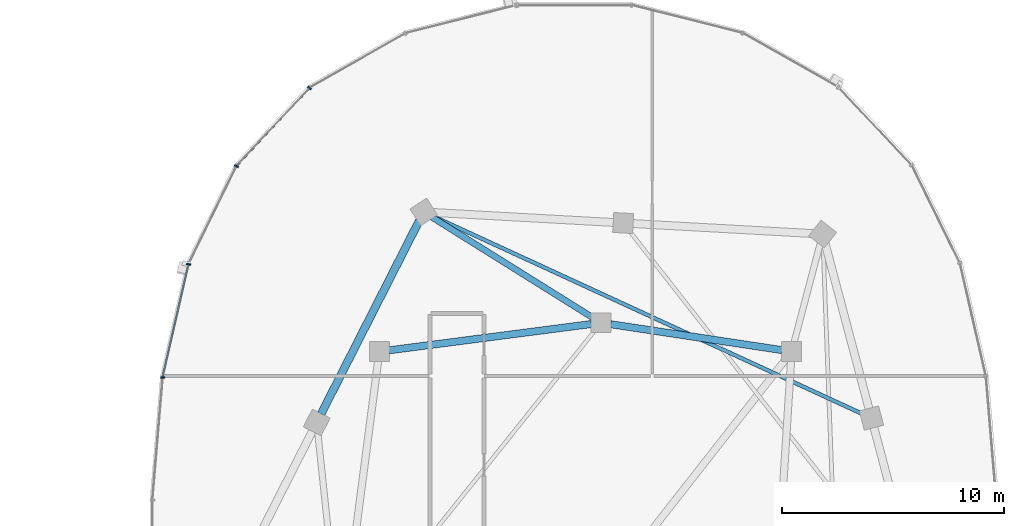
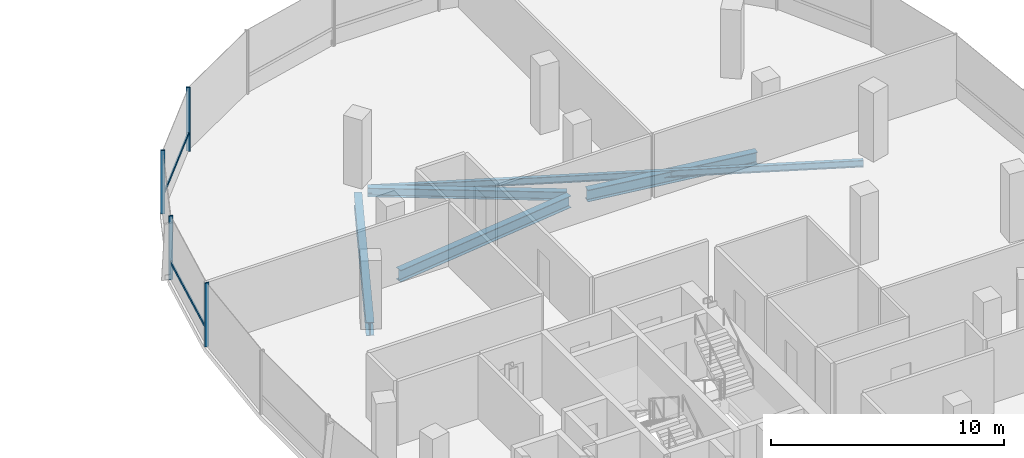
# One storey, part 11 of 25: 6 members, 5 beams, 1 element without a shape of its own.
"""IFC4 building model written with IfcOpenShell, lengths in metres."""

import ifcopenshell
import ifcopenshell.guid

model = None  # the IFC model being written
_history = None  # IfcOwnerHistory: only IFC2X3 demands one
_inside = {}  # id of a spatial element -> (the spatial element, [elements in it])
_under = {}  # id of a project, library or spatial element -> (it, [spatial elements below it])
_declared = {}  # id of a project -> (the project, [libraries it declares])
_typed = {}  # id of a type object -> (the type object, [elements of that type])
_made_of = {}  # id of a material, layer set ... -> (it, [elements and type objects made of it])


def new_model(schema):
    """Start an empty IFC model of exactly this schema.

    Asked for "IFC4X3", IfcOpenShell would pick the latest addendum, in which some entities
    have other attributes; the version numbers below select the first issue.
    IFC2X3 requires an IfcOwnerHistory on every rooted entity: one is made here for all.
    """
    global model, _history
    if schema == "IFC4X3":
        model = ifcopenshell.file(schema_version=(4, 3, 0, 0))
    else:
        model = ifcopenshell.file(schema=schema)
    _inside.clear()
    _under.clear()
    _declared.clear()
    _typed.clear()
    _made_of.clear()
    _history = None
    if model.schema == "IFC2X3":
        org = make("IfcOrganization", Name="unknown")
        user = make(
            "IfcPersonAndOrganization",
            ThePerson=make("IfcPerson", FamilyName="unknown"),
            TheOrganization=org,
        )
        app = make(
            "IfcApplication",
            ApplicationDeveloper=org,
            Version="unknown",
            ApplicationFullName="unknown",
            ApplicationIdentifier="unknown",
        )
        _history = make(
            "IfcOwnerHistory",
            OwningUser=user,
            OwningApplication=app,
            ChangeAction="ADDED",
            CreationDate=0,
        )
    return model


def make(cls, **values):
    """One entity of the class cls with the attributes given. An attribute that is None is left unset."""
    return model.create_entity(
        cls, **{name: value for name, value in values.items() if value is not None}
    )


def rooted(cls, **values):
    """An entity with a GlobalId (a new one), such as an element, a storey or a relation."""
    return make(cls, GlobalId=ifcopenshell.guid.new(), OwnerHistory=_history, **values)


def si_unit(unit_type, name, prefix=None):
    """IfcSIUnit, for example si_unit("LENGTHUNIT", "METRE", prefix="MILLI")."""
    return make("IfcSIUnit", UnitType=unit_type, Prefix=prefix, Name=name)


def assignment(units):
    """IfcUnitAssignment: the units of a project."""
    return None if units is None else make("IfcUnitAssignment", Units=units)


def point(xyz):
    """IfcCartesianPoint."""
    return None if xyz is None else make("IfcCartesianPoint", Coordinates=xyz)


def direction(xyz):
    """IfcDirection."""
    return None if xyz is None else make("IfcDirection", DirectionRatios=xyz)


def frame(location, z_axis=None, x_axis=None):
    """IfcAxis2Placement3D, a coordinate frame: its origin and axes. An axis left out is left unset."""
    return make(
        "IfcAxis2Placement3D",
        Location=point(location),
        Axis=direction(z_axis),
        RefDirection=direction(x_axis),
    )


def frame_2d(location, x_axis=None):
    """IfcAxis2Placement2D, a coordinate frame in the plane: its origin and x axis."""
    return make(
        "IfcAxis2Placement2D", Location=point(location), RefDirection=direction(x_axis)
    )


def origin():
    """The frame at (0, 0, 0) with its axes left unset."""
    return frame((0.0, 0.0, 0.0))


def origin_2d():
    """The frame at (0, 0) in the plane with its x axis left unset."""
    return frame_2d((0.0, 0.0))


def place(relative_to, where):
    """IfcLocalPlacement: puts the frame where relative to a parent placement (None: the world)."""
    return make(
        "IfcLocalPlacement", PlacementRelTo=relative_to, RelativePlacement=where
    )


def context(
    kind, dimensions, precision=None, world=None, true_north=None, identifier=None
):
    """IfcGeometricRepresentationContext, for example the 3D "Model" context."""
    return make(
        "IfcGeometricRepresentationContext",
        ContextIdentifier=identifier,
        ContextType=kind,
        CoordinateSpaceDimension=dimensions,
        Precision=precision,
        WorldCoordinateSystem=world,
        TrueNorth=true_north,
    )


def subcontext(parent, identifier, kind, view, scale=None):
    """IfcGeometricRepresentationSubContext, for example "Body" below "Model"."""
    return make(
        "IfcGeometricRepresentationSubContext",
        ContextIdentifier=identifier,
        ContextType=kind,
        ParentContext=parent,
        TargetScale=scale,
        TargetView=view,
    )


def project(units=None, contexts=None):
    """IfcProject with its units and contexts."""
    return rooted(
        "IfcProject",
        Name="project",
        RepresentationContexts=contexts,
        UnitsInContext=assignment(units),
    )


def spatial(cls, under=None, at=None, **own):
    """A site, building, storey or space (cls), placed at a placement, below another one or the project."""
    s = rooted(cls, ObjectPlacement=at, **own)
    if under is not None:
        _under.setdefault(under.id(), (under, []))[1].append(s)
    return s


def profile(cls, at=None, kind="AREA", **sizes):
    """A parametric profile (cls). Its sizes go by their IFC names, for example OverallWidth=200.0."""
    return make(cls, ProfileType=kind, Position=at, **sizes)


def rectangle(**sizes):
    """IfcRectangleProfileDef."""
    return profile("IfcRectangleProfileDef", **sizes)


def i_section(**sizes):
    """IfcIShapeProfileDef."""
    return profile("IfcIShapeProfileDef", **sizes)


def extrude(swept, where, along, depth):
    """IfcExtrudedAreaSolid: the profile swept, set in the frame where, extruded along a direction by depth."""
    return make(
        "IfcExtrudedAreaSolid",
        SweptArea=swept,
        Position=where,
        ExtrudedDirection=direction(along),
        Depth=depth,
    )


def shape(context_of_items, identifier, shape_type, items):
    """IfcShapeRepresentation: the items that make up one representation, for example the "Body"."""
    return make(
        "IfcShapeRepresentation",
        ContextOfItems=context_of_items,
        RepresentationIdentifier=identifier,
        RepresentationType=shape_type,
        Items=items,
    )


def material(Name=None, Category=None):
    """IfcMaterial."""
    return make("IfcMaterial", Name=Name, Category=Category)


def material_profile(
    of_material, cross_section, Name=None, Category=None, Priority=None
):
    """IfcMaterialProfile: a cross section and its material."""
    return make(
        "IfcMaterialProfile",
        Name=Name,
        Material=of_material,
        Profile=cross_section,
        Priority=Priority,
        Category=Category,
    )


def profile_set(profiles, Name=None, composite=None):
    """IfcMaterialProfileSet."""
    return make(
        "IfcMaterialProfileSet",
        Name=Name,
        MaterialProfiles=profiles,
        CompositeProfile=composite,
    )


def made_of(thing, what):
    """Note that an element or type object is made of a material, layer set ...; save() writes the relation."""
    if what is not None:
        _made_of.setdefault(what.id(), (what, []))[1].append(thing)
    return thing


def type_object(cls, material=None, **own):
    """A type object (cls), such as IfcWallType, which elements share."""
    return made_of(rooted(cls, **own), material)


def element(
    cls,
    number,
    at=None,
    inside=None,
    cuts=None,
    type_object=None,
    material=None,
    context=None,
    identifier="Body",
    shape_type=None,
    held_by="IfcProductDefinitionShape",
    body=None,
    shapes=None,
    **own,
):
    """One element of the class cls, such as IfcWall. Its Tag is "e" and its number.

    at: its placement. inside: the storey or other place that contains it. cuts: it is an
    opening in that element (IfcRelVoidsElement). A single representation is given by context,
    identifier, shape_type and body (its items); several are given by shapes. held_by: the class
    of the entity that holds the representations. save() writes the other relations.
    """
    e = rooted(cls, Tag="e%d" % number, ObjectPlacement=at, **own)
    if body is not None:
        shapes = [shape(context, identifier, shape_type, body)]
    if shapes is not None:
        e.Representation = make(held_by, Representations=shapes)
    if inside is not None:
        _inside.setdefault(inside.id(), (inside, []))[1].append(e)
    if cuts is not None:
        rooted(
            "IfcRelVoidsElement", RelatingBuildingElement=cuts, RelatedOpeningElement=e
        )
    if type_object is not None:
        _typed.setdefault(type_object.id(), (type_object, []))[1].append(e)
    return made_of(e, material)


def aggregate(whole, parts):
    """IfcRelAggregates: a whole, such as a stair, and the parts it consists of."""
    return rooted("IfcRelAggregates", RelatingObject=whole, RelatedObjects=parts)


def save(model, path):
    """Write the relations noted so far, then the file.

    IfcRelAggregates (storeys below a building ...), IfcRelContainedInSpatialStructure (elements
    in a storey), IfcRelDefinesByType, IfcRelAssociatesMaterial and IfcRelDeclares: one each for
    every whole, place, type object, material and project.
    """
    for whole, parts in _under.values():
        aggregate(whole, parts)
    for where, things in _inside.values():
        rooted(
            "IfcRelContainedInSpatialStructure",
            RelatedElements=things,
            RelatingStructure=where,
        )
    for kind, things in _typed.values():
        rooted("IfcRelDefinesByType", RelatedObjects=things, RelatingType=kind)
    for what, things in _made_of.values():
        rooted("IfcRelAssociatesMaterial", RelatedObjects=things, RelatingMaterial=what)
    for by, libraries in _declared.values():
        rooted("IfcRelDeclares", RelatingContext=by, RelatedDefinitions=libraries)
    model.write(path)


model = new_model("IFC4")

# Units and contexts
model_context = context("Model", 3, precision=1e-05, world=origin(), true_north=direction((0.0, 1.0)))
body_context = subcontext(model_context, "Body", "Model", "MODEL_VIEW")
ifc_project = project(units=[si_unit("LENGTHUNIT", "METRE"), si_unit("AREAUNIT", "SQUARE_METRE"), si_unit("VOLUMEUNIT", "CUBIC_METRE"), si_unit("PLANEANGLEUNIT", "RADIAN"), si_unit("MASSUNIT", "GRAM", prefix="KILO"), si_unit("THERMODYNAMICTEMPERATUREUNIT", "KELVIN"), si_unit("POWERUNIT", "WATT")], contexts=[model_context])

# Site, building, storey
site_placement = place(None, origin())
site = spatial("IfcSite", under=ifc_project, at=site_placement, CompositionType="ELEMENT")
building_placement = place(site_placement, origin())
building = spatial("IfcBuilding", under=site, at=building_placement, Name="Cundina Bronze Exchange", CompositionType="ELEMENT")
storey_placement = place(building_placement, frame((0.0, 0.0, 209.800048828125)))
storey = spatial("IfcBuildingStorey", under=building, at=storey_placement, Name="L55", CompositionType="ELEMENT", Elevation=209.800048828125)

# Beams
ifc_material_1 = material(Name="Steel ASTM A992 Grade 50", Category="steel")
ifc_material_profile_1 = material_profile(ifc_material_1, i_section(OverallWidth=0.280029296875, OverallDepth=0.462890625, WebThickness=0.0107421875, FlangeThickness=0.017333984375, FilletRadius=0.011962890625, at=origin_2d()), Name="W18X76", Category="steel")
ifc_profile_set_1 = profile_set([ifc_material_profile_1], Name="Steel ASTM A992 Grade 50")
beam_type_1 = type_object("IfcBeamType", Name="BM-FLR-W18A", PredefinedType="BEAM", material=ifc_profile_set_1)
beam_1_placement = place(storey_placement, frame((32.82861328125, 11.031982421875, -0.491455078125), z_axis=(-0.847995098703, 0.530004068452, 0.0), x_axis=(-0.530004068452, -0.847995098703, 0.0)))
element("IfcBeam", 1, at=beam_1_placement, inside=storey, type_object=beam_type_1, Name="L55 Leg E Chordal Floor Beam 12", PredefinedType="BEAM", context=body_context, shape_type="SweptSolid", body=[
    extrude(i_section(OverallWidth=0.280029296875, OverallDepth=0.462890625, WebThickness=0.0107421875, FlangeThickness=0.017333984375, FilletRadius=0.011962890625, at=origin_2d()), origin(), (0.0, 0.0, 1.0), 8.55810546875),
])
ifc_material_profile_2 = material_profile(ifc_material_1, i_section(OverallWidth=0.172119140625, OverallDepth=0.35791015625, WebThickness=0.0078125, FlangeThickness=0.01318359375, FilletRadius=0.010009765625, at=origin_2d()), Name="W14X38", Category="steel")
ifc_profile_set_2 = profile_set([ifc_material_profile_2], Name="Steel ASTM A992 Grade 50")
beam_type_2 = type_object("IfcBeamType", Name="BM-JST-W14", PredefinedType="JOIST", material=ifc_profile_set_2)
beam_2_placement = place(storey_placement, frame((45.002197265625, 6.68310546875, -0.43896484375), z_axis=(-0.908355026127, 0.418199888224, 0.0), x_axis=(-0.418199888224, -0.908355026127, 0.0)))
element("IfcBeam", 2, at=beam_2_placement, inside=storey, type_object=beam_type_2, Name="L55 Leg E Lobe Floor Joist 09-12", PredefinedType="JOIST", context=body_context, shape_type="SweptSolid", body=[
    extrude(i_section(OverallWidth=0.172119140625, OverallDepth=0.35791015625, WebThickness=0.0078125, FlangeThickness=0.01318359375, FilletRadius=0.010009765625, at=origin_2d()), origin(), (0.0, 0.0, 1.0), 21.362060546875),
])
ifc_material_profile_3 = material_profile(ifc_material_1, i_section(OverallWidth=0.324951171875, OverallDepth=0.615966796875, WebThickness=0.013916015625, FlangeThickness=0.021484375, FilletRadius=0.01611328125, at=origin_2d()), Name="W24X117", Category="steel")
ifc_profile_set_3 = profile_set([ifc_material_profile_3], Name="Steel ASTM A992 Grade 50")
beam_type_3 = type_object("IfcBeamType", Name="BM-RING-W24", PredefinedType="USERDEFINED", material=ifc_profile_set_3)
beam_3_placement = place(storey_placement, frame((41.366943359375, 9.5654296875, -0.568115234375), z_axis=(-0.988764903598, 0.149478979839, 0.0), x_axis=(-0.149478979839, -0.988764903598, 0.0)))
element("IfcBeam", 3, at=beam_3_placement, inside=storey, type_object=beam_type_3, Name="L55 E Inner Structural Ring Girder 05", ObjectType="GIRDER", PredefinedType="USERDEFINED", context=body_context, shape_type="SweptSolid", body=[
    extrude(i_section(OverallWidth=0.324951171875, OverallDepth=0.615966796875, WebThickness=0.013916015625, FlangeThickness=0.021484375, FilletRadius=0.01611328125, at=origin_2d()), origin(), (0.0, 0.0, 1.0), 7.82177734375),
])
beam_4_placement = place(storey_placement, frame((32.765625, 10.743408203125, -0.568115234375), z_axis=(-0.991656498582, -0.128908451316, 0.0), x_axis=(0.128908451316, -0.991656498582, 0.0)))
element("IfcBeam", 4, at=beam_4_placement, inside=storey, type_object=beam_type_3, Name="L55 E Inner Structural Ring Girder 06", ObjectType="GIRDER", PredefinedType="USERDEFINED", context=body_context, shape_type="SweptSolid", body=[
    extrude(i_section(OverallWidth=0.324951171875, OverallDepth=0.615966796875, WebThickness=0.013916015625, FlangeThickness=0.021484375, FilletRadius=0.01611328125, at=origin_2d()), origin(), (0.0, 0.0, 1.0), 9.208251953125),
])
ifc_material_profile_4 = material_profile(ifc_material_1, i_section(OverallWidth=0.35498046875, OverallDepth=0.695068359375, WebThickness=0.015380859375, FlangeThickness=0.02490234375, FilletRadius=0.01806640625, at=origin_2d()), Name="W27X146", Category="steel")
ifc_profile_set_4 = profile_set([ifc_material_profile_4], Name="Steel ASTM A992 Grade 50")
beam_type_4 = type_object("IfcBeamType", Name="BM-RING-W27", PredefinedType="USERDEFINED", material=ifc_profile_set_4)
beam_5_placement = place(storey_placement, frame((25.001708984375, 15.409423828125, -0.607666015625), z_axis=(-0.452846871434, -0.891588308039, 0.0), x_axis=(0.891588308039, -0.452846871434, 0.0)))
element("IfcBeam", 5, at=beam_5_placement, inside=storey, type_object=beam_type_4, Name="L55 E Perimeter Ring Girder 12", ObjectType="GIRDER", PredefinedType="USERDEFINED", context=body_context, shape_type="SweptSolid", body=[
    extrude(i_section(OverallWidth=0.35498046875, OverallDepth=0.695068359375, WebThickness=0.015380859375, FlangeThickness=0.02490234375, FilletRadius=0.01806640625, at=origin_2d()), origin(), (0.0, 0.0, 1.0), 9.779052734375),
])

# Curtain wall, members
ifc_material_2 = material(Name="Anodised Bronze Aluminium 6063-T6", Category="aluminium")
curtain_wall_type = type_object("IfcCurtainWallType", Name="CWS-UPP-OFF", PredefinedType="NOTDEFINED", material=ifc_material_2)
curtain_wall_placement = place(storey_placement, origin())
curtain_wall = element("IfcCurtainWall", 6, at=curtain_wall_placement, inside=storey, type_object=curtain_wall_type, Name="L55 CW-05 Curtain Wall Run CWR-L55-E2", PredefinedType="NOTDEFINED")
ifc_material_profile_5 = material_profile(ifc_material_2, rectangle(XDim=0.070068359375, YDim=0.18994140625, at=origin_2d()), Name="AL70X190", Category="aluminium")
ifc_profile_set_5 = profile_set([ifc_material_profile_5], Name="Anodised Bronze Aluminium 6063-T6")
member_type_1 = type_object("IfcMemberType", Name="CWM-MUL-190", PredefinedType="MULLION", material=ifc_profile_set_5)
member_1_placement = place(storey_placement, frame((20.05126953125, 21.392578125, 0.0), z_axis=(0.0, 0.0, 1.0), x_axis=(-0.684292606175, -0.729207535023, 0.0)))
member_1 = element("IfcMember", 7, at=member_1_placement, type_object=member_type_1, Name="CW-05 Mullion 3", PredefinedType="MULLION", context=body_context, shape_type="SweptSolid", body=[
    extrude(rectangle(XDim=0.070068359375, YDim=0.18994140625, at=origin_2d()), origin(), (0.0, 0.0, 1.0), 3.33984375),
])
member_2_placement = place(storey_placement, frame((16.754638671875, 17.866455078125, 0.0), z_axis=(0.0, 0.0, 1.0), x_axis=(-0.440566004113, -0.897720221461, 0.0)))
member_2 = element("IfcMember", 8, at=member_2_placement, type_object=member_type_1, Name="CW-05 Mullion 4", PredefinedType="MULLION", context=body_context, shape_type="SweptSolid", body=[
    extrude(rectangle(XDim=0.070068359375, YDim=0.18994140625, at=origin_2d()), origin(), (0.0, 0.0, 1.0), 3.33984375),
])
member_3_placement = place(storey_placement, frame((14.59228515625, 13.440673828125, 0.0), z_axis=(0.0, 0.0, 1.0), x_axis=(-0.223250116011, -0.974761194191, 0.0)))
member_3 = element("IfcMember", 9, at=member_3_placement, type_object=member_type_1, Name="CW-05 Mullion 5", PredefinedType="MULLION", context=body_context, shape_type="SweptSolid", body=[
    extrude(rectangle(XDim=0.070068359375, YDim=0.18994140625, at=origin_2d()), origin(), (0.0, 0.0, 1.0), 3.33984375),
])
member_4_placement = place(storey_placement, frame((13.427490234375, 8.33056640625, 0.0), z_axis=(0.0, 0.0, 1.0), x_axis=(-0.083677843332, -0.99649285925, 0.0)))
member_4 = element("IfcMember", 10, at=member_4_placement, type_object=member_type_1, Name="CW-05 Mullion 6", PredefinedType="MULLION", context=body_context, shape_type="SweptSolid", body=[
    extrude(rectangle(XDim=0.070068359375, YDim=0.18994140625, at=origin_2d()), origin(), (0.0, 0.0, 1.0), 3.33984375),
])
ifc_material_profile_6 = material_profile(ifc_material_2, rectangle(XDim=0.06494140625, YDim=0.14990234375, at=origin_2d()), Name="AL65X150", Category="aluminium")
ifc_profile_set_6 = profile_set([ifc_material_profile_6], Name="Anodised Bronze Aluminium 6063-T6")
member_type_2 = type_object("IfcMemberType", Name="CWM-TRN-150", PredefinedType="USERDEFINED", material=ifc_profile_set_6)
member_5_placement = place(storey_placement, frame((20.02490234375, 21.364501953125, 0.919921875), z_axis=(-0.684336416554, -0.729166420633, 0.0), x_axis=(0.729166420633, -0.684336416554, 0.0)))
member_5 = element("IfcMember", 11, at=member_5_placement, type_object=member_type_2, Name="CW-05 Spandrel Transom 3", ObjectType="TRANSOM", PredefinedType="USERDEFINED", context=body_context, shape_type="SweptSolid", body=[
    extrude(rectangle(XDim=0.06494140625, YDim=0.14990234375, at=origin_2d()), origin(), (0.0, 0.0, 1.0), 4.76513671875),
])
member_6_placement = place(storey_placement, frame((14.58349609375, 13.403076171875, 0.919921875), z_axis=(-0.22328343579, -0.974753562344, 0.0), x_axis=(0.974753562344, -0.22328343579, 0.0)))
member_6 = element("IfcMember", 12, at=member_6_placement, type_object=member_type_2, Name="CW-05 Spandrel Transom 5", ObjectType="TRANSOM", PredefinedType="USERDEFINED", context=body_context, shape_type="SweptSolid", body=[
    extrude(rectangle(XDim=0.06494140625, YDim=0.14990234375, at=origin_2d()), origin(), (0.0, 0.0, 1.0), 5.159912109375),
])
aggregate(curtain_wall, [member_1, member_5, member_2, member_3, member_6, member_4])

save(model, "model.ifc")
